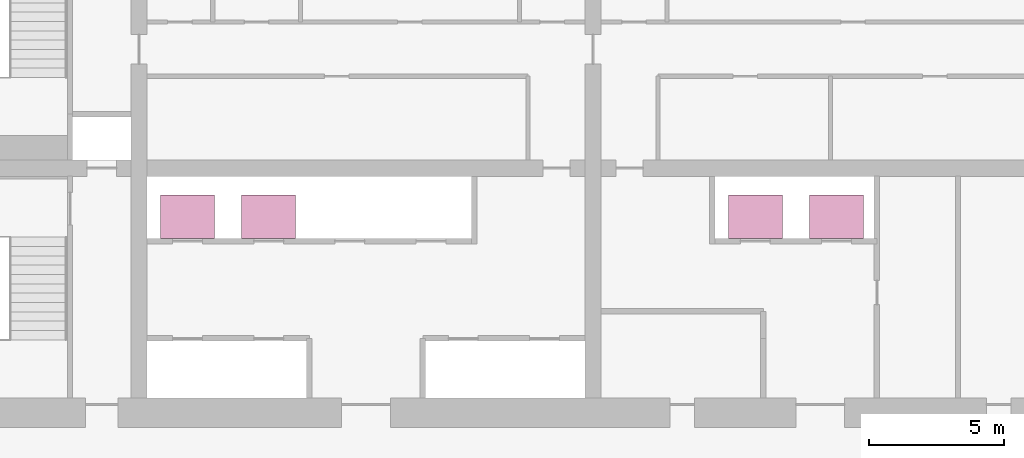
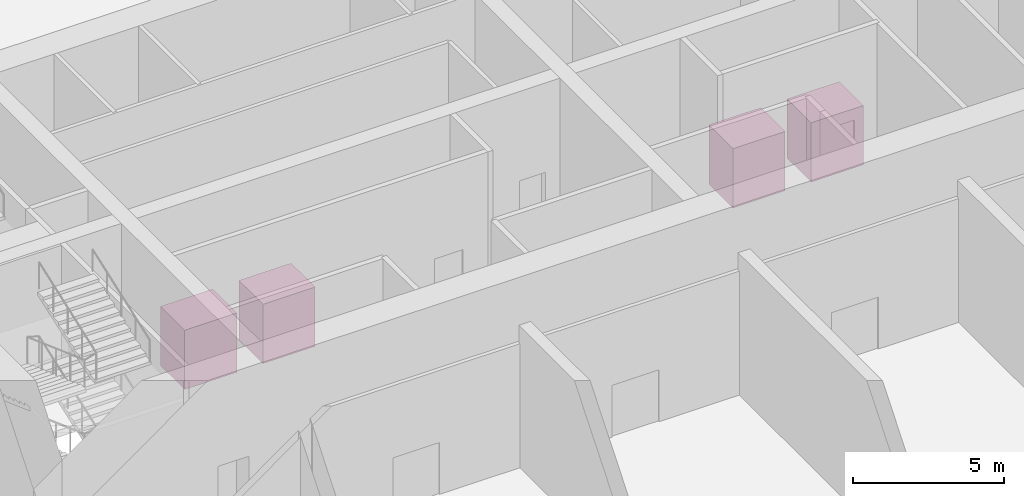
# One storey, part 20 of 20: 4 transport elements.
"""IFC4 building model written with IfcOpenShell, lengths in metres."""

import ifcopenshell
import ifcopenshell.guid

model = None  # the IFC model being written
_history = None  # IfcOwnerHistory: only IFC2X3 demands one
_inside = {}  # id of a spatial element -> (the spatial element, [elements in it])
_under = {}  # id of a project, library or spatial element -> (it, [spatial elements below it])
_declared = {}  # id of a project -> (the project, [libraries it declares])
_typed = {}  # id of a type object -> (the type object, [elements of that type])
_made_of = {}  # id of a material, layer set ... -> (it, [elements and type objects made of it])


def new_model(schema):
    """Start an empty IFC model of exactly this schema.

    Asked for "IFC4X3", IfcOpenShell would pick the latest addendum, in which some entities
    have other attributes; the version numbers below select the first issue.
    IFC2X3 requires an IfcOwnerHistory on every rooted entity: one is made here for all.
    """
    global model, _history
    if schema == "IFC4X3":
        model = ifcopenshell.file(schema_version=(4, 3, 0, 0))
    else:
        model = ifcopenshell.file(schema=schema)
    _inside.clear()
    _under.clear()
    _declared.clear()
    _typed.clear()
    _made_of.clear()
    _history = None
    if model.schema == "IFC2X3":
        org = make("IfcOrganization", Name="unknown")
        user = make(
            "IfcPersonAndOrganization",
            ThePerson=make("IfcPerson", FamilyName="unknown"),
            TheOrganization=org,
        )
        app = make(
            "IfcApplication",
            ApplicationDeveloper=org,
            Version="unknown",
            ApplicationFullName="unknown",
            ApplicationIdentifier="unknown",
        )
        _history = make(
            "IfcOwnerHistory",
            OwningUser=user,
            OwningApplication=app,
            ChangeAction="ADDED",
            CreationDate=0,
        )
    return model


def make(cls, **values):
    """One entity of the class cls with the attributes given. An attribute that is None is left unset."""
    return model.create_entity(
        cls, **{name: value for name, value in values.items() if value is not None}
    )


def rooted(cls, **values):
    """An entity with a GlobalId (a new one), such as an element, a storey or a relation."""
    return make(cls, GlobalId=ifcopenshell.guid.new(), OwnerHistory=_history, **values)


def si_unit(unit_type, name, prefix=None):
    """IfcSIUnit, for example si_unit("LENGTHUNIT", "METRE", prefix="MILLI")."""
    return make("IfcSIUnit", UnitType=unit_type, Prefix=prefix, Name=name)


def assignment(units):
    """IfcUnitAssignment: the units of a project."""
    return None if units is None else make("IfcUnitAssignment", Units=units)


def point(xyz):
    """IfcCartesianPoint."""
    return None if xyz is None else make("IfcCartesianPoint", Coordinates=xyz)


def direction(xyz):
    """IfcDirection."""
    return None if xyz is None else make("IfcDirection", DirectionRatios=xyz)


def frame(location, z_axis=None, x_axis=None):
    """IfcAxis2Placement3D, a coordinate frame: its origin and axes. An axis left out is left unset."""
    return make(
        "IfcAxis2Placement3D",
        Location=point(location),
        Axis=direction(z_axis),
        RefDirection=direction(x_axis),
    )


def frame_2d(location, x_axis=None):
    """IfcAxis2Placement2D, a coordinate frame in the plane: its origin and x axis."""
    return make(
        "IfcAxis2Placement2D", Location=point(location), RefDirection=direction(x_axis)
    )


def origin():
    """The frame at (0, 0, 0) with its axes left unset."""
    return frame((0.0, 0.0, 0.0))


def origin_2d():
    """The frame at (0, 0) in the plane with its x axis left unset."""
    return frame_2d((0.0, 0.0))


def place(relative_to, where):
    """IfcLocalPlacement: puts the frame where relative to a parent placement (None: the world)."""
    return make(
        "IfcLocalPlacement", PlacementRelTo=relative_to, RelativePlacement=where
    )


def context(
    kind, dimensions, precision=None, world=None, true_north=None, identifier=None
):
    """IfcGeometricRepresentationContext, for example the 3D "Model" context."""
    return make(
        "IfcGeometricRepresentationContext",
        ContextIdentifier=identifier,
        ContextType=kind,
        CoordinateSpaceDimension=dimensions,
        Precision=precision,
        WorldCoordinateSystem=world,
        TrueNorth=true_north,
    )


def subcontext(parent, identifier, kind, view, scale=None):
    """IfcGeometricRepresentationSubContext, for example "Body" below "Model"."""
    return make(
        "IfcGeometricRepresentationSubContext",
        ContextIdentifier=identifier,
        ContextType=kind,
        ParentContext=parent,
        TargetScale=scale,
        TargetView=view,
    )


def project(units=None, contexts=None):
    """IfcProject with its units and contexts."""
    return rooted(
        "IfcProject",
        Name="project",
        RepresentationContexts=contexts,
        UnitsInContext=assignment(units),
    )


def spatial(cls, under=None, at=None, **own):
    """A site, building, storey or space (cls), placed at a placement, below another one or the project."""
    s = rooted(cls, ObjectPlacement=at, **own)
    if under is not None:
        _under.setdefault(under.id(), (under, []))[1].append(s)
    return s


def profile(cls, at=None, kind="AREA", **sizes):
    """A parametric profile (cls). Its sizes go by their IFC names, for example OverallWidth=200.0."""
    return make(cls, ProfileType=kind, Position=at, **sizes)


def rectangle(**sizes):
    """IfcRectangleProfileDef."""
    return profile("IfcRectangleProfileDef", **sizes)


def extrude(swept, where, along, depth):
    """IfcExtrudedAreaSolid: the profile swept, set in the frame where, extruded along a direction by depth."""
    return make(
        "IfcExtrudedAreaSolid",
        SweptArea=swept,
        Position=where,
        ExtrudedDirection=direction(along),
        Depth=depth,
    )


def shape(context_of_items, identifier, shape_type, items):
    """IfcShapeRepresentation: the items that make up one representation, for example the "Body"."""
    return make(
        "IfcShapeRepresentation",
        ContextOfItems=context_of_items,
        RepresentationIdentifier=identifier,
        RepresentationType=shape_type,
        Items=items,
    )


def source(mapping_origin, context_of_items, identifier, shape_type, items):
    """IfcRepresentationMap: a shape defined once, which mapped items show again and again."""
    return make(
        "IfcRepresentationMap",
        MappingOrigin=mapping_origin,
        MappedRepresentation=shape(context_of_items, identifier, shape_type, items),
    )


def transform(
    local_origin,
    x_axis=None,
    y_axis=None,
    z_axis=None,
    scale=None,
    scale2=None,
    scale3=None,
    uniform=True,
):
    """IfcCartesianTransformationOperator3D, or its non-uniform kind. x_axis, y_axis, z_axis: its Axis1, 2, 3."""
    if uniform:
        return make(
            "IfcCartesianTransformationOperator3D",
            Axis1=direction(x_axis),
            Axis2=direction(y_axis),
            LocalOrigin=point(local_origin),
            Scale=scale,
            Axis3=direction(z_axis),
        )
    return make(
        "IfcCartesianTransformationOperator3DnonUniform",
        Axis1=direction(x_axis),
        Axis2=direction(y_axis),
        LocalOrigin=point(local_origin),
        Scale=scale,
        Axis3=direction(z_axis),
        Scale2=scale2,
        Scale3=scale3,
    )


def mapped(mapping_source, mapping_target):
    """IfcMappedItem: shows the shape of a source again, moved by a transform."""
    return make(
        "IfcMappedItem", MappingSource=mapping_source, MappingTarget=mapping_target
    )


def material(Name=None, Category=None):
    """IfcMaterial."""
    return make("IfcMaterial", Name=Name, Category=Category)


def made_of(thing, what):
    """Note that an element or type object is made of a material, layer set ...; save() writes the relation."""
    if what is not None:
        _made_of.setdefault(what.id(), (what, []))[1].append(thing)
    return thing


def type_object(cls, material=None, **own):
    """A type object (cls), such as IfcWallType, which elements share."""
    return made_of(rooted(cls, **own), material)


def element(
    cls,
    number,
    at=None,
    inside=None,
    cuts=None,
    type_object=None,
    material=None,
    context=None,
    identifier="Body",
    shape_type=None,
    held_by="IfcProductDefinitionShape",
    body=None,
    shapes=None,
    **own,
):
    """One element of the class cls, such as IfcWall. Its Tag is "e" and its number.

    at: its placement. inside: the storey or other place that contains it. cuts: it is an
    opening in that element (IfcRelVoidsElement). A single representation is given by context,
    identifier, shape_type and body (its items); several are given by shapes. held_by: the class
    of the entity that holds the representations. save() writes the other relations.
    """
    e = rooted(cls, Tag="e%d" % number, ObjectPlacement=at, **own)
    if body is not None:
        shapes = [shape(context, identifier, shape_type, body)]
    if shapes is not None:
        e.Representation = make(held_by, Representations=shapes)
    if inside is not None:
        _inside.setdefault(inside.id(), (inside, []))[1].append(e)
    if cuts is not None:
        rooted(
            "IfcRelVoidsElement", RelatingBuildingElement=cuts, RelatedOpeningElement=e
        )
    if type_object is not None:
        _typed.setdefault(type_object.id(), (type_object, []))[1].append(e)
    return made_of(e, material)


def aggregate(whole, parts):
    """IfcRelAggregates: a whole, such as a stair, and the parts it consists of."""
    return rooted("IfcRelAggregates", RelatingObject=whole, RelatedObjects=parts)


def save(model, path):
    """Write the relations noted so far, then the file.

    IfcRelAggregates (storeys below a building ...), IfcRelContainedInSpatialStructure (elements
    in a storey), IfcRelDefinesByType, IfcRelAssociatesMaterial and IfcRelDeclares: one each for
    every whole, place, type object, material and project.
    """
    for whole, parts in _under.values():
        aggregate(whole, parts)
    for where, things in _inside.values():
        rooted(
            "IfcRelContainedInSpatialStructure",
            RelatedElements=things,
            RelatingStructure=where,
        )
    for kind, things in _typed.values():
        rooted("IfcRelDefinesByType", RelatedObjects=things, RelatingType=kind)
    for what, things in _made_of.values():
        rooted("IfcRelAssociatesMaterial", RelatedObjects=things, RelatingMaterial=what)
    for by, libraries in _declared.values():
        rooted("IfcRelDeclares", RelatingContext=by, RelatedDefinitions=libraries)
    model.write(path)


model = new_model("IFC4")

# Units and contexts
model_context = context("Model", 3, precision=1e-05, world=origin(), true_north=direction((0.0, 1.0)))
body_context = subcontext(model_context, "Body", "Model", "MODEL_VIEW")
ifc_project = project(units=[si_unit("LENGTHUNIT", "METRE"), si_unit("AREAUNIT", "SQUARE_METRE"), si_unit("VOLUMEUNIT", "CUBIC_METRE"), si_unit("PLANEANGLEUNIT", "RADIAN"), si_unit("MASSUNIT", "GRAM", prefix="KILO")], contexts=[model_context])

# Site, building, storey
site_placement = place(None, origin())
site = spatial("IfcSite", under=ifc_project, at=site_placement, CompositionType="ELEMENT")
building_placement = place(site_placement, origin())
building = spatial("IfcBuilding", under=site, at=building_placement, Name="Vanashikhar Sky Hotel", CompositionType="ELEMENT")
storey_placement = place(building_placement, origin())
storey = spatial("IfcBuildingStorey", under=building, at=storey_placement, Name="L00", CompositionType="ELEMENT", Elevation=0.0)

# Transport elements
ifc_material = material(Name="Stainless steel", Category="steel")
transport_element_type_1 = type_object("IfcTransportElementType", Name="Observation lift car 2000 x 1600", PredefinedType="ELEVATOR", material=ifc_material)
shared_shape = source(origin(), body_context, "Body", "SweptSolid", [
    extrude(rectangle(XDim=2.0, YDim=1.60009765625, at=origin_2d()), origin(), (0.0, 0.0, 1.0), 2.39990234375),
])
for number, where, z_axis, x_axis, name in (
    (1, (59.39990234375, 29.800048828125, 0.0), (0.0, 0.0, 1.0), (1.0, 0.0, 0.0), "Observation lift 1"),
    (2, (56.39990234375, 29.800048828125, 0.0), (0.0, 0.0, 1.0), (1.0, 0.0, 0.0), "Observation lift 2"),
):
    element("IfcTransportElement", number, at=place(storey_placement, frame(where, z_axis=z_axis, x_axis=x_axis)), inside=storey, type_object=transport_element_type_1, Name=name, PredefinedType="ELEVATOR", context=body_context, shape_type="MappedRepresentation", body=[
        mapped(shared_shape, transform((0.0, 0.0, 0.0), scale=1.0)),
    ])
transport_element_type_2 = type_object("IfcTransportElementType", Name="Passenger lift car 2000 x 1600", PredefinedType="ELEVATOR", material=ifc_material)
for number, where, z_axis, x_axis, name in (
    (3, (35.39990234375, 29.800048828125, 0.0), (0.0, 0.0, 1.0), (1.0, 0.0, 0.0), "Passenger lift 5"),
    (4, (38.39990234375, 29.800048828125, 0.0), (0.0, 0.0, 1.0), (1.0, 0.0, 0.0), "Passenger lift 6"),
):
    element("IfcTransportElement", number, at=place(storey_placement, frame(where, z_axis=z_axis, x_axis=x_axis)), inside=storey, type_object=transport_element_type_2, Name=name, PredefinedType="ELEVATOR", context=body_context, shape_type="MappedRepresentation", body=[
        mapped(shared_shape, transform((0.0, 0.0, 0.0), scale=1.0)),
    ])

save(model, "model.ifc")
